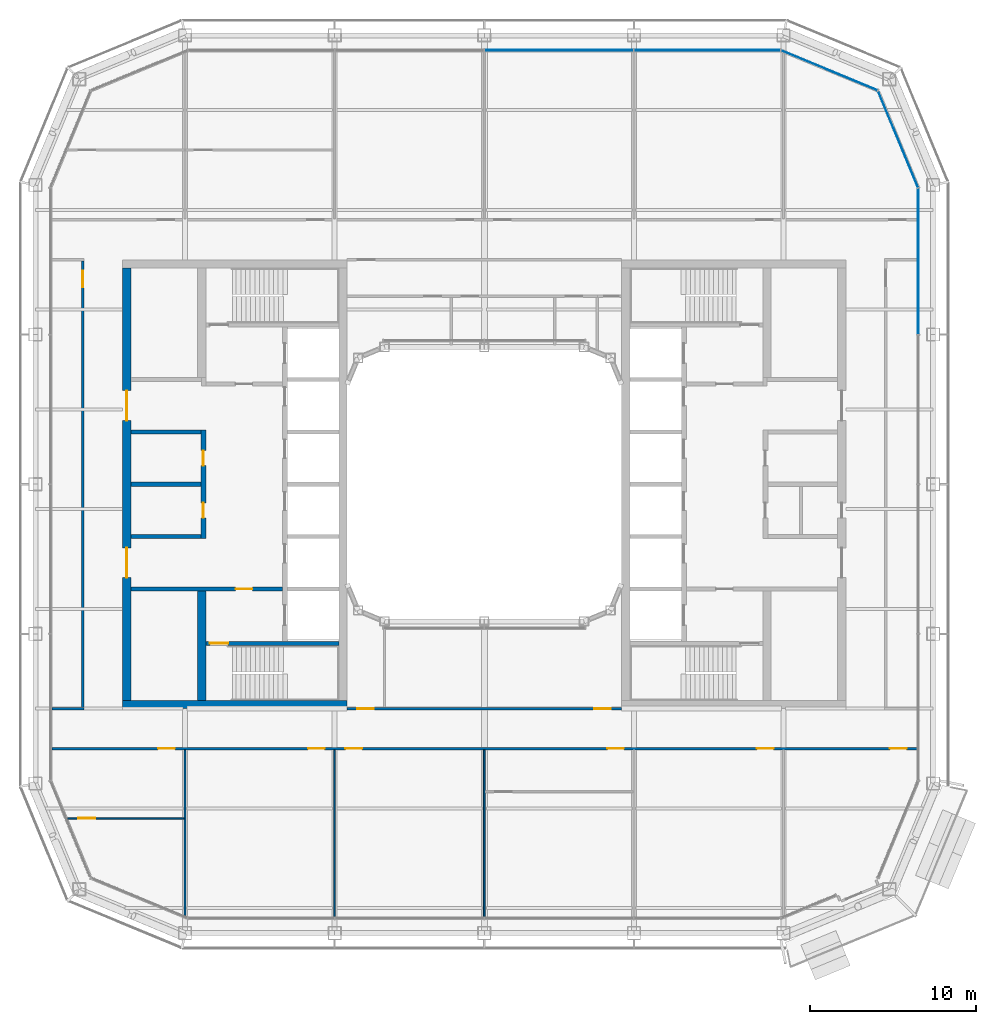
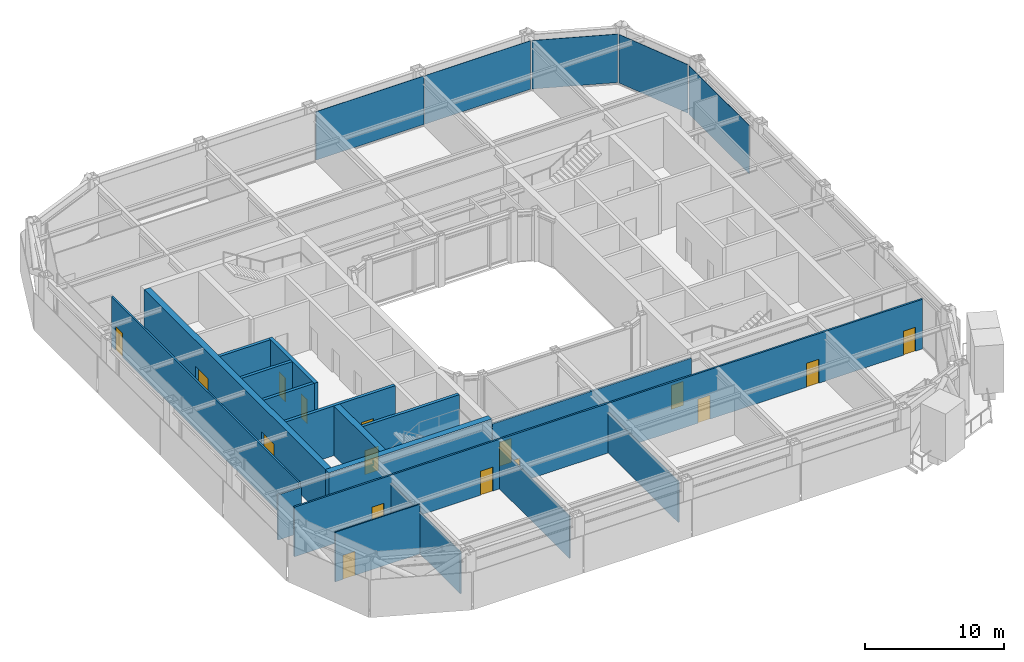
# One storey, part 12 of 22: 17 walls, 16 doors, 5 plates, 16 openings, 4 elements without a shape of their own.
"""IFC4 building model written with IfcOpenShell, lengths in metres."""

from ifc_helpers import new_model, si_unit, direction, frame, frame_2d, origin, origin_2d, place, context, subcontext, project, spatial, rectangle, extrude, material, layer, layer_set, type_object, element, fill, aggregate, save


model = new_model("IFC4")

# Units and contexts
model_context = context("Model", 3, precision=1e-05, world=origin(), true_north=direction((0.0, 1.0)))
body_context = subcontext(model_context, "Body", "Model", "MODEL_VIEW")
ifc_project = project(units=[si_unit("LENGTHUNIT", "METRE"), si_unit("AREAUNIT", "SQUARE_METRE"), si_unit("VOLUMEUNIT", "CUBIC_METRE"), si_unit("PLANEANGLEUNIT", "RADIAN"), si_unit("MASSUNIT", "GRAM", prefix="KILO")], contexts=[model_context])

# Site, building, storey
site_placement = place(None, origin())
site = spatial("IfcSite", under=ifc_project, at=site_placement, CompositionType="ELEMENT")
building_placement = place(site_placement, origin())
building = spatial("IfcBuilding", under=site, at=building_placement, Name="Siwar Civic Tower", CompositionType="ELEMENT")
storey_placement = place(building_placement, frame((0.0, 0.0, 255.699951171875)))
storey = spatial("IfcBuildingStorey", under=building, at=storey_placement, Name="L55", CompositionType="ELEMENT", Elevation=255.699951171875)

# Curtain wall, plate
ifc_material_1 = material(Name="Aluminium and glass", Category="aluminium")
ifc_layer_1 = layer(ifc_material_1, 0.179931640625)
ifc_layer_set_1 = layer_set([ifc_layer_1], Name="Aluminium and glass")
curtain_wall_type_1 = type_object("IfcCurtainWallType", Name="ENV-CW-C", PredefinedType="NOTDEFINED", material=ifc_layer_set_1)
curtain_wall_1_placement = place(storey_placement, origin())
curtain_wall_1 = element("IfcCurtainWall", 1, at=curtain_wall_1_placement, inside=storey, type_object=curtain_wall_type_1, Name="Curtain wall C E", PredefinedType="NOTDEFINED")
ifc_material_2 = material(Name="Glass clear laminated", Category="glass")
ifc_layer_2 = layer(ifc_material_2, 0.031982421875)
ifc_layer_set_2 = layer_set([ifc_layer_2], Name="Glass clear laminated")
plate_type_1 = type_object("IfcPlateType", Name="ENV-PANEL-C", PredefinedType="CURTAIN_PANEL", material=ifc_layer_set_2)
plate_1_placement = place(storey_placement, frame((26.10009765625, 13.373046875, 0.10009765625), z_axis=(0.0, 0.0, 1.0), x_axis=(0.0, 1.0, 0.0)))
plate_1 = element("IfcPlate", 2, at=plate_1_placement, type_object=plate_type_1, Name="Curtain panel C E 4", PredefinedType="CURTAIN_PANEL", context=body_context, shape_type="SweptSolid", body=[
    extrude(rectangle(XDim=8.68603515625, YDim=0.031982421875, at=origin_2d()), origin(), (0.0, 0.0, 1.0), 4.25),
])
aggregate(curtain_wall_1, [plate_1])

# Curtain wall, plates
curtain_wall_2_placement = place(storey_placement, origin())
curtain_wall_2 = element("IfcCurtainWall", 3, at=curtain_wall_2_placement, inside=storey, type_object=curtain_wall_type_1, Name="Curtain wall C N", PredefinedType="NOTDEFINED")
plate_2_placement = place(storey_placement, frame((13.410400390625, 26.10009765625, 0.10009765625), z_axis=(0.0, 0.0, 1.0), x_axis=(-1.0, 0.0, 0.0)))
plate_2 = element("IfcPlate", 4, at=plate_2_placement, type_object=plate_type_1, Name="Curtain panel C N 1", PredefinedType="CURTAIN_PANEL", context=body_context, shape_type="SweptSolid", body=[
    extrude(rectangle(XDim=8.760986328125, YDim=0.031982421875, at=origin_2d()), origin(), (0.0, 0.0, 1.0), 4.25),
])
plate_3_placement = place(storey_placement, frame((4.5, 26.10009765625, 0.10009765625), z_axis=(0.0, 0.0, 1.0), x_axis=(-1.0, 0.0, 0.0)))
plate_3 = element("IfcPlate", 5, at=plate_3_placement, type_object=plate_type_1, Name="Curtain panel C N 2", PredefinedType="CURTAIN_PANEL", context=body_context, shape_type="SweptSolid", body=[
    extrude(rectangle(XDim=8.93994140625, YDim=0.031982421875, at=origin_2d()), origin(), (0.0, 0.0, 1.0), 4.25),
])
aggregate(curtain_wall_2, [plate_2, plate_3])

# Curtain wall, plate
ifc_material_3 = material(Name="Aluminium clad insulated panel", Category="aluminium")
ifc_layer_3 = layer(ifc_material_3, 0.179931640625)
ifc_layer_set_3 = layer_set([ifc_layer_3], Name="Aluminium clad insulated panel")
curtain_wall_type_2 = type_object("IfcCurtainWallType", Name="ENV-CW-CX", PredefinedType="NOTDEFINED", material=ifc_layer_set_3)
curtain_wall_3_placement = place(storey_placement, origin())
curtain_wall_3 = element("IfcCurtainWall", 6, at=curtain_wall_3_placement, inside=storey, type_object=curtain_wall_type_2, Name="Curtain wall C NE1", PredefinedType="NOTDEFINED")
ifc_material_4 = material(Name="Aluminium clad insulated panel", Category="aluminium")
ifc_layer_4 = layer(ifc_material_4, 0.031982421875)
ifc_layer_set_4 = layer_set([ifc_layer_4], Name="Aluminium clad insulated panel")
plate_type_2 = type_object("IfcPlateType", Name="ENV-PANEL-CX", PredefinedType="CURTAIN_PANEL", material=ifc_layer_set_4)
plate_4_placement = place(storey_placement, frame((24.90185546875, 20.71337890625, 0.10009765625), z_axis=(0.0, 0.0, 1.0), x_axis=(-0.382683432365, 0.923879532511, 0.0)))
plate_4 = element("IfcPlate", 7, at=plate_4_placement, type_object=plate_type_2, Name="Curtain panel C NE1 1", PredefinedType="CURTAIN_PANEL", context=body_context, shape_type="SweptSolid", body=[
    extrude(rectangle(XDim=6.20166015625, YDim=0.031982421875, at=origin_2d()), origin(), (0.0, 0.0, 1.0), 4.25),
])
aggregate(curtain_wall_3, [plate_4])

curtain_wall_4_placement = place(storey_placement, origin())
curtain_wall_4 = element("IfcCurtainWall", 8, at=curtain_wall_4_placement, inside=storey, type_object=curtain_wall_type_2, Name="Curtain wall C NE2", PredefinedType="NOTDEFINED")
plate_5_placement = place(storey_placement, frame((20.78271484375, 24.873291015625, 0.10009765625), z_axis=(0.0, 0.0, 1.0), x_axis=(-0.923879532511, 0.382683432365, 0.0)))
plate_5 = element("IfcPlate", 9, at=plate_5_placement, type_object=plate_type_2, Name="Curtain panel C NE2 1", PredefinedType="CURTAIN_PANEL", context=body_context, shape_type="SweptSolid", body=[
    extrude(rectangle(XDim=6.20166015625, YDim=0.031982421875, at=origin_2d()), origin(), (0.0, 0.0, 1.0), 4.25),
])
aggregate(curtain_wall_4, [plate_5])

# Wall, opening, door
ifc_material_5 = material(Name="Concrete C60/75", Category="concrete")
ifc_layer_5 = layer(ifc_material_5, 0.25)
ifc_layer_set_5 = layer_set([ifc_layer_5], Name="Concrete C60/75")
wall_type_1 = type_object("IfcWallType", Name="CORE-WALL-RC250", PredefinedType="SHEAR", material=ifc_layer_set_5)
wall_1_placement = place(storey_placement, frame((-12.14990234375, -6.300048828125, 0.0), z_axis=(0.0, 0.0, 1.0), x_axis=(-1.0, 0.0, 0.0)))
wall_1 = element("IfcWall", 10, at=wall_1_placement, inside=storey, type_object=wall_type_1, Name="Core wall W", PredefinedType="SHEAR", context=body_context, shape_type="SweptSolid", body=[
    extrude(rectangle(XDim=9.10009765625, YDim=0.25, at=frame_2d((4.550048828125, 0.0))), origin(), (0.0, 0.0, 1.0), 4.35009765625),
])
opening_1_placement = place(wall_1_placement, frame((1.800048828125, 0.0, 0.0)))
opening_1 = element("IfcOpeningElement", 11, at=opening_1_placement, cuts=wall_1, Name="Opening L55-CW02", PredefinedType="OPENING", context=body_context, shape_type="SweptSolid", body=[
    extrude(rectangle(XDim=1.0, YDim=2.10009765625, at=frame_2d((0.5, 1.050048828125))), frame((0.0, 0.135009765625, 0.0), z_axis=(0.0, -1.0, 0.0), x_axis=(1.0, 0.0, 0.0)), (0.0, 0.0, 1.0), 0.27001953125),
])
ifc_material_6 = material(Name="Steel door leaf", Category="steel")
door_type_1 = type_object("IfcDoorType", Name="CORE-DOOR-FD30S", OperationType="SINGLE_SWING_LEFT", PredefinedType="DOOR", material=ifc_material_6)
door_1_placement = place(opening_1_placement, origin())
door_1 = element("IfcDoor", 12, at=door_1_placement, inside=storey, type_object=door_type_1, Name="Service lobby door L55-CW02", OperationType="SINGLE_SWING_RIGHT", OverallHeight=2.10009765625, OverallWidth=1.0, PredefinedType="DOOR", context=body_context, shape_type="SweptSolid", body=[
    extrude(rectangle(XDim=1.0, YDim=2.10009765625, at=frame_2d((0.5, 1.050048828125))), frame((0.0, 0.02490234375, 0.0), z_axis=(0.0, -1.0, 0.0), x_axis=(1.0, 0.0, 0.0)), (0.0, 0.0, 1.0), 0.050048828125),
])
fill(opening_1, door_1)

# Walls
for number, where, z_axis, x_axis, name in (
    (13, (-17.050048828125, 0.0, 0.0), (0.0, 0.0, 1.0), (-1.0, 0.0, 0.0), "Core wall W"),
    (14, (-17.050048828125, 3.14990234375, 0.0), (0.0, 0.0, 1.0), (-1.0, 0.0, 0.0), "Core wall W"),
    (15, (-17.050048828125, -3.14990234375, 0.0), (0.0, 0.0, 1.0), (-1.0, 0.0, 0.0), "Core wall W"),
):
    element("IfcWall", number, at=place(storey_placement, frame(where, z_axis=z_axis, x_axis=x_axis)), inside=storey, type_object=wall_type_1, Name=name, PredefinedType="SHEAR", context=body_context, shape_type="SweptSolid", body=[
        extrude(rectangle(XDim=4.199951171875, YDim=0.25, at=frame_2d((2.10009765625, 0.0))), origin(), (0.0, 0.0, 1.0), 4.35009765625),
    ])

# Wall, opening, door
wall_2_placement = place(storey_placement, frame((-8.75, -9.574951171875, 0.0), z_axis=(0.0, 0.0, 1.0), x_axis=(-1.0, 0.0, 0.0)))
wall_2 = element("IfcWall", 16, at=wall_2_placement, inside=storey, type_object=wall_type_1, Name="Core wall W", PredefinedType="SHEAR", context=body_context, shape_type="SweptSolid", body=[
    extrude(rectangle(XDim=8.0, YDim=0.25, at=frame_2d((4.0, 0.0))), origin(), (0.0, 0.0, 1.0), 4.35009765625),
])
opening_2_placement = place(wall_2_placement, frame((6.64990234375, 0.0, 0.0)))
opening_2 = element("IfcOpeningElement", 17, at=opening_2_placement, cuts=wall_2, Name="Opening L55-CW04", PredefinedType="OPENING", context=body_context, shape_type="SweptSolid", body=[
    extrude(rectangle(XDim=1.10009765625, YDim=2.10009765625, at=frame_2d((0.550048828125, 1.050048828125))), frame((0.0, 0.135009765625, 0.0), z_axis=(0.0, -1.0, 0.0), x_axis=(1.0, 0.0, 0.0)), (0.0, 0.0, 1.0), 0.27001953125),
])
ifc_material_7 = material(Name="Steel door leaf", Category="steel")
door_type_2 = type_object("IfcDoorType", Name="CORE-DOOR-FD60S", OperationType="SINGLE_SWING_LEFT", PredefinedType="DOOR", material=ifc_material_7)
door_2_placement = place(opening_2_placement, origin())
door_2 = element("IfcDoor", 18, at=door_2_placement, inside=storey, type_object=door_type_2, Name="Stair door L55-CW04", OperationType="SINGLE_SWING_LEFT", OverallHeight=2.10009765625, OverallWidth=1.10009765625, PredefinedType="DOOR", context=body_context, shape_type="SweptSolid", body=[
    extrude(rectangle(XDim=1.10009765625, YDim=2.10009765625, at=frame_2d((0.550048828125, 1.050048828125))), frame((0.0, 0.02490234375, 0.0), z_axis=(0.0, -1.0, 0.0), x_axis=(1.0, 0.0, 0.0)), (0.0, 0.0, 1.0), 0.050048828125),
])
fill(opening_2, door_2)

# Wall, openings, doors
ifc_material_8 = material(Name="Concrete C60/75", Category="concrete")
ifc_layer_6 = layer(ifc_material_8, 0.300048828125)
ifc_layer_set_6 = layer_set([ifc_layer_6], Name="Concrete C60/75")
wall_type_2 = type_object("IfcWallType", Name="CORE-WALL-RC300", PredefinedType="SHEAR", material=ifc_layer_set_6)
wall_3_placement = place(storey_placement, frame((-16.89990234375, -3.27490234375, 0.0), z_axis=(0.0, 0.0, 1.0), x_axis=(0.0, 1.0, 0.0)))
wall_3 = element("IfcWall", 19, at=wall_3_placement, inside=storey, type_object=wall_type_2, Name="Core wall W", PredefinedType="SHEAR", context=body_context, shape_type="SweptSolid", body=[
    extrude(rectangle(XDim=6.5498046875, YDim=0.300048828125, at=frame_2d((3.27490234375, 0.0))), origin(), (0.0, 0.0, 1.0), 4.35009765625),
])
opening_3_placement = place(wall_3_placement, frame((1.25, 0.0, 0.0)))
opening_3 = element("IfcOpeningElement", 20, at=opening_3_placement, cuts=wall_3, Name="Opening L55-CW13", PredefinedType="OPENING", context=body_context, shape_type="SweptSolid", body=[
    extrude(rectangle(XDim=0.89990234375, YDim=2.10009765625, at=frame_2d((0.449951171875, 1.050048828125))), frame((0.0, 0.16015625, 0.0), z_axis=(0.0, -1.0, 0.0), x_axis=(1.0, 0.0, 0.0)), (0.0, 0.0, 1.0), 0.320068359375),
])
opening_4_placement = place(wall_3_placement, frame((4.39990234375, 0.0, 0.0)))
opening_4 = element("IfcOpeningElement", 21, at=opening_4_placement, cuts=wall_3, Name="Opening L55-CW14", PredefinedType="OPENING", context=body_context, shape_type="SweptSolid", body=[
    extrude(rectangle(XDim=0.89990234375, YDim=2.10009765625, at=frame_2d((0.449951171875, 1.050048828125))), frame((0.0, 0.16015625, 0.0), z_axis=(0.0, -1.0, 0.0), x_axis=(1.0, 0.0, 0.0)), (0.0, 0.0, 1.0), 0.320068359375),
])
ifc_material_9 = material(Name="Steel door leaf", Category="steel")
door_type_3 = type_object("IfcDoorType", Name="CORE-DOOR-ROOM", OperationType="SINGLE_SWING_LEFT", PredefinedType="DOOR", material=ifc_material_9)
door_3_placement = place(opening_3_placement, origin())
door_3 = element("IfcDoor", 22, at=door_3_placement, inside=storey, type_object=door_type_3, Name="Core room door L55-CW13", OperationType="SINGLE_SWING_LEFT", OverallHeight=2.10009765625, OverallWidth=0.89990234375, PredefinedType="DOOR", context=body_context, shape_type="SweptSolid", body=[
    extrude(rectangle(XDim=0.89990234375, YDim=2.10009765625, at=frame_2d((0.449951171875, 1.050048828125))), frame((0.0, 0.02490234375, 0.0), z_axis=(0.0, -1.0, 0.0), x_axis=(1.0, 0.0, 0.0)), (0.0, 0.0, 1.0), 0.050048828125),
])
fill(opening_3, door_3)
door_4_placement = place(opening_4_placement, origin())
door_4 = element("IfcDoor", 23, at=door_4_placement, inside=storey, type_object=door_type_3, Name="Core room door L55-CW14", OperationType="SINGLE_SWING_RIGHT", OverallHeight=2.10009765625, OverallWidth=0.89990234375, PredefinedType="DOOR", context=body_context, shape_type="SweptSolid", body=[
    extrude(rectangle(XDim=0.89990234375, YDim=2.10009765625, at=frame_2d((0.449951171875, 1.050048828125))), frame((0.0, 0.02490234375, 0.0), z_axis=(0.0, -1.0, 0.0), x_axis=(1.0, 0.0, 0.0)), (0.0, 0.0, 1.0), 0.050048828125),
])
fill(opening_4, door_4)

ifc_material_10 = material(Name="Concrete C60/75", Category="concrete")
ifc_layer_7 = layer(ifc_material_10, 0.5)
ifc_layer_set_7 = layer_set([ifc_layer_7], Name="Concrete C60/75")
wall_type_3 = type_object("IfcWallType", Name="CORE-WALL-RC500", PredefinedType="SHEAR", material=ifc_layer_set_7)
wall_4_placement = place(storey_placement, frame((-21.5, -13.0, 0.0), z_axis=(0.0, 0.0, 1.0), x_axis=(0.0, 1.0, 0.0)))
wall_4 = element("IfcWall", 24, at=wall_4_placement, inside=storey, type_object=wall_type_3, Name="Core wall W", PredefinedType="SHEAR", context=body_context, shape_type="SweptSolid", body=[
    extrude(rectangle(XDim=26.0, YDim=0.5, at=frame_2d((13.0, 0.0))), origin(), (0.0, 0.0, 1.0), 4.35009765625),
])
opening_5_placement = place(wall_4_placement, frame((16.824951171875, 0.0, 0.0)))
opening_5 = element("IfcOpeningElement", 25, at=opening_5_placement, cuts=wall_4, Name="Opening L55-CW05", PredefinedType="OPENING", context=body_context, shape_type="SweptSolid", body=[
    extrude(rectangle(XDim=1.800048828125, YDim=2.10009765625, at=frame_2d((0.89990234375, 1.050048828125))), frame((0.0, 0.260009765625, 0.0), z_axis=(0.0, -1.0, 0.0), x_axis=(1.0, 0.0, 0.0)), (0.0, 0.0, 1.0), 0.52001953125),
])
opening_6_placement = place(wall_4_placement, frame((7.375, 0.0, 0.0)))
opening_6 = element("IfcOpeningElement", 26, at=opening_6_placement, cuts=wall_4, Name="Opening L55-CW06", PredefinedType="OPENING", context=body_context, shape_type="SweptSolid", body=[
    extrude(rectangle(XDim=1.800048828125, YDim=2.10009765625, at=frame_2d((0.89990234375, 1.050048828125))), frame((0.0, 0.260009765625, 0.0), z_axis=(0.0, -1.0, 0.0), x_axis=(1.0, 0.0, 0.0)), (0.0, 0.0, 1.0), 0.52001953125),
])
ifc_material_11 = material(Name="Steel door leaf", Category="steel")
door_type_4 = type_object("IfcDoorType", Name="CORE-DOOR-PORT", OperationType="DOUBLE_DOOR_DOUBLE_SWING", PredefinedType="DOOR", material=ifc_material_11)
door_5_placement = place(opening_5_placement, origin())
door_5 = element("IfcDoor", 27, at=door_5_placement, inside=storey, type_object=door_type_4, Name="Core entrance door L55-CW05", OperationType="DOUBLE_DOOR_DOUBLE_SWING", OverallHeight=2.10009765625, OverallWidth=1.800048828125, PredefinedType="DOOR", context=body_context, shape_type="SweptSolid", body=[
    extrude(rectangle(XDim=1.800048828125, YDim=2.10009765625, at=frame_2d((0.89990234375, 1.050048828125))), frame((0.0, 0.02490234375, 0.0), z_axis=(0.0, -1.0, 0.0), x_axis=(1.0, 0.0, 0.0)), (0.0, 0.0, 1.0), 0.050048828125),
])
fill(opening_5, door_5)
door_6_placement = place(opening_6_placement, origin())
door_6 = element("IfcDoor", 28, at=door_6_placement, inside=storey, type_object=door_type_4, Name="Core entrance door L55-CW06", OperationType="DOUBLE_DOOR_DOUBLE_SWING", OverallHeight=2.10009765625, OverallWidth=1.800048828125, PredefinedType="DOOR", context=body_context, shape_type="SweptSolid", body=[
    extrude(rectangle(XDim=1.800048828125, YDim=2.10009765625, at=frame_2d((0.89990234375, 1.050048828125))), frame((0.0, 0.02490234375, 0.0), z_axis=(0.0, -1.0, 0.0), x_axis=(1.0, 0.0, 0.0)), (0.0, 0.0, 1.0), 0.050048828125),
])
fill(opening_6, door_6)

# Walls
wall_5_placement = place(storey_placement, frame((-17.0, -13.0, 0.0), z_axis=(0.0, 0.0, 1.0), x_axis=(0.0, 1.0, 0.0)))
element("IfcWall", 29, at=wall_5_placement, inside=storey, type_object=wall_type_3, Name="Core wall W", PredefinedType="SHEAR", context=body_context, shape_type="SweptSolid", body=[
    extrude(rectangle(XDim=6.574951171875, YDim=0.5, at=frame_2d((3.28759765625, 0.0))), origin(), (0.0, 0.0, 1.0), 4.35009765625),
])
wall_6_placement = place(storey_placement, frame((-8.25, -13.25, 0.0), z_axis=(0.0, 0.0, 1.0), x_axis=(-1.0, 0.0, 0.0)))
element("IfcWall", 30, at=wall_6_placement, inside=storey, type_object=wall_type_3, Name="Core wall W", PredefinedType="SHEAR", context=body_context, shape_type="SweptSolid", body=[
    extrude(rectangle(XDim=13.5, YDim=0.5, at=frame_2d((6.75, 0.0))), origin(), (0.0, 0.0, 1.0), 4.35009765625),
])

# Wall, openings, doors
ifc_material_12 = material(Name="Gypsum board on steel studs", Category="steel")
ifc_layer_8 = layer(ifc_material_12, 0.14990234375)
ifc_layer_set_8 = layer_set([ifc_layer_8], Name="Gypsum board on steel studs")
wall_type_4 = type_object("IfcWallType", Name="CORRIDOR PARTITION 150 EI 30", PredefinedType="PARTITIONING", material=ifc_layer_set_8)
wall_7_placement = place(storey_placement, frame((-26.010009765625, -15.89990234375, 0.0), z_axis=(0.0, 0.0, 1.0), x_axis=(1.0, 0.0, 0.0)))
wall_7 = element("IfcWall", 31, at=wall_7_placement, inside=storey, type_object=wall_type_4, Name="L55/wall/P03", PredefinedType="PARTITIONING", context=body_context, shape_type="SweptSolid", body=[
    extrude(rectangle(XDim=52.02001953125, YDim=0.14990234375, at=frame_2d((26.010009765625, 0.0))), origin(), (0.0, 0.0, 1.0), 4.35009765625),
])
opening_7_placement = place(wall_7_placement, frame((15.409912109375, 0.0, 0.0)))
opening_7 = element("IfcOpeningElement", 32, at=opening_7_placement, cuts=wall_7, Name="Opening D1", PredefinedType="OPENING", context=body_context, shape_type="SweptSolid", body=[
    extrude(rectangle(XDim=1.0, YDim=2.10009765625, at=frame_2d((0.5, 1.050048828125))), frame((0.0, 0.0849609375, 0.0), z_axis=(0.0, -1.0, 0.0), x_axis=(1.0, 0.0, 0.0)), (0.0, 0.0, 1.0), 0.169921875),
])
opening_8_placement = place(wall_7_placement, frame((17.659912109375, 0.0, 0.0)))
opening_8 = element("IfcOpeningElement", 33, at=opening_8_placement, cuts=wall_7, Name="Opening D1", PredefinedType="OPENING", context=body_context, shape_type="SweptSolid", body=[
    extrude(rectangle(XDim=1.0, YDim=2.10009765625, at=frame_2d((0.5, 1.050048828125))), frame((0.0, 0.0849609375, 0.0), z_axis=(0.0, -1.0, 0.0), x_axis=(1.0, 0.0, 0.0)), (0.0, 0.0, 1.0), 0.169921875),
])
opening_9_placement = place(wall_7_placement, frame((33.409912109375, 0.0, 0.0)))
opening_9 = element("IfcOpeningElement", 34, at=opening_9_placement, cuts=wall_7, Name="Opening D1", PredefinedType="OPENING", context=body_context, shape_type="SweptSolid", body=[
    extrude(rectangle(XDim=1.0, YDim=2.10009765625, at=frame_2d((0.5, 1.050048828125))), frame((0.0, 0.0849609375, 0.0), z_axis=(0.0, -1.0, 0.0), x_axis=(1.0, 0.0, 0.0)), (0.0, 0.0, 1.0), 0.169921875),
])
opening_10_placement = place(wall_7_placement, frame((42.409912109375, 0.0, 0.0)))
opening_10 = element("IfcOpeningElement", 35, at=opening_10_placement, cuts=wall_7, Name="Opening D1", PredefinedType="OPENING", context=body_context, shape_type="SweptSolid", body=[
    extrude(rectangle(XDim=1.0, YDim=2.10009765625, at=frame_2d((0.5, 1.050048828125))), frame((0.0, 0.0849609375, 0.0), z_axis=(0.0, -1.0, 0.0), x_axis=(1.0, 0.0, 0.0)), (0.0, 0.0, 1.0), 0.169921875),
])
opening_11_placement = place(wall_7_placement, frame((6.39990234375, 0.0, 0.0)))
opening_11 = element("IfcOpeningElement", 36, at=opening_11_placement, cuts=wall_7, Name="Opening D1", PredefinedType="OPENING", context=body_context, shape_type="SweptSolid", body=[
    extrude(rectangle(XDim=1.0, YDim=2.10009765625, at=frame_2d((0.5, 1.050048828125))), frame((0.0, 0.0849609375, 0.0), z_axis=(0.0, -1.0, 0.0), x_axis=(1.0, 0.0, 0.0)), (0.0, 0.0, 1.0), 0.169921875),
])
opening_12_placement = place(wall_7_placement, frame((50.409912109375, 0.0, 0.0)))
opening_12 = element("IfcOpeningElement", 37, at=opening_12_placement, cuts=wall_7, Name="Opening D1", PredefinedType="OPENING", context=body_context, shape_type="SweptSolid", body=[
    extrude(rectangle(XDim=1.0, YDim=2.10009765625, at=frame_2d((0.5, 1.050048828125))), frame((0.0, 0.0849609375, 0.0), z_axis=(0.0, -1.0, 0.0), x_axis=(1.0, 0.0, 0.0)), (0.0, 0.0, 1.0), 0.169921875),
])
ifc_material_13 = material(Name="Timber, painted", Category="wood")
door_type_5 = type_object("IfcDoorType", Name="DOOR 1000 X 2100 FD30", OperationType="SINGLE_SWING_LEFT", PredefinedType="DOOR", material=ifc_material_13)
door_7_placement = place(opening_7_placement, origin())
door_7 = element("IfcDoor", 38, at=door_7_placement, inside=storey, type_object=door_type_5, Name="L55-D06", OperationType="SINGLE_SWING_RIGHT", OverallHeight=2.10009765625, OverallWidth=1.0, PredefinedType="DOOR", context=body_context, shape_type="SweptSolid", body=[
    extrude(rectangle(XDim=1.0, YDim=2.10009765625, at=frame_2d((0.5, 1.050048828125))), frame((0.0, 0.02490234375, 0.0), z_axis=(0.0, -1.0, 0.0), x_axis=(1.0, 0.0, 0.0)), (0.0, 0.0, 1.0), 0.050048828125),
])
fill(opening_7, door_7)
door_8_placement = place(opening_8_placement, origin())
door_8 = element("IfcDoor", 39, at=door_8_placement, inside=storey, type_object=door_type_5, Name="L55-D07", OperationType="SINGLE_SWING_LEFT", OverallHeight=2.10009765625, OverallWidth=1.0, PredefinedType="DOOR", context=body_context, shape_type="SweptSolid", body=[
    extrude(rectangle(XDim=1.0, YDim=2.10009765625, at=frame_2d((0.5, 1.050048828125))), frame((0.0, 0.02490234375, 0.0), z_axis=(0.0, -1.0, 0.0), x_axis=(1.0, 0.0, 0.0)), (0.0, 0.0, 1.0), 0.050048828125),
])
fill(opening_8, door_8)
door_9_placement = place(opening_9_placement, origin())
door_9 = element("IfcDoor", 40, at=door_9_placement, inside=storey, type_object=door_type_5, Name="L55-D08", OperationType="SINGLE_SWING_RIGHT", OverallHeight=2.10009765625, OverallWidth=1.0, PredefinedType="DOOR", context=body_context, shape_type="SweptSolid", body=[
    extrude(rectangle(XDim=1.0, YDim=2.10009765625, at=frame_2d((0.5, 1.050048828125))), frame((0.0, 0.02490234375, 0.0), z_axis=(0.0, -1.0, 0.0), x_axis=(1.0, 0.0, 0.0)), (0.0, 0.0, 1.0), 0.050048828125),
])
fill(opening_9, door_9)
door_10_placement = place(opening_10_placement, origin())
door_10 = element("IfcDoor", 41, at=door_10_placement, inside=storey, type_object=door_type_5, Name="L55-D10", OperationType="SINGLE_SWING_RIGHT", OverallHeight=2.10009765625, OverallWidth=1.0, PredefinedType="DOOR", context=body_context, shape_type="SweptSolid", body=[
    extrude(rectangle(XDim=1.0, YDim=2.10009765625, at=frame_2d((0.5, 1.050048828125))), frame((0.0, 0.02490234375, 0.0), z_axis=(0.0, -1.0, 0.0), x_axis=(1.0, 0.0, 0.0)), (0.0, 0.0, 1.0), 0.050048828125),
])
fill(opening_10, door_10)
door_11_placement = place(opening_11_placement, origin())
door_11 = element("IfcDoor", 42, at=door_11_placement, inside=storey, type_object=door_type_5, Name="L55-D14", OperationType="SINGLE_SWING_RIGHT", OverallHeight=2.10009765625, OverallWidth=1.0, PredefinedType="DOOR", context=body_context, shape_type="SweptSolid", body=[
    extrude(rectangle(XDim=1.0, YDim=2.10009765625, at=frame_2d((0.5, 1.050048828125))), frame((0.0, 0.02490234375, 0.0), z_axis=(0.0, -1.0, 0.0), x_axis=(1.0, 0.0, 0.0)), (0.0, 0.0, 1.0), 0.050048828125),
])
fill(opening_11, door_11)
door_12_placement = place(opening_12_placement, origin())
door_12 = element("IfcDoor", 43, at=door_12_placement, inside=storey, type_object=door_type_5, Name="L55-D16", OperationType="SINGLE_SWING_RIGHT", OverallHeight=2.10009765625, OverallWidth=1.0, PredefinedType="DOOR", context=body_context, shape_type="SweptSolid", body=[
    extrude(rectangle(XDim=1.0, YDim=2.10009765625, at=frame_2d((0.5, 1.050048828125))), frame((0.0, 0.02490234375, 0.0), z_axis=(0.0, -1.0, 0.0), x_axis=(1.0, 0.0, 0.0)), (0.0, 0.0, 1.0), 0.050048828125),
])
fill(opening_12, door_12)

# Wall
wall_8_placement = place(storey_placement, frame((-26.010009765625, -13.5, 0.0), z_axis=(0.0, 0.0, 1.0), x_axis=(1.0, 0.0, 0.0)))
element("IfcWall", 44, at=wall_8_placement, inside=storey, type_object=wall_type_4, Name="L55/wall/P04", PredefinedType="PARTITIONING", context=body_context, shape_type="SweptSolid", body=[
    extrude(rectangle(XDim=1.93505859375, YDim=0.14990234375, at=frame_2d((0.967529296875, 0.0))), origin(), (0.0, 0.0, 1.0), 3.949951171875),
])

# Wall, openings, doors
wall_9_placement = place(storey_placement, frame((-8.25, -13.5, 0.0), z_axis=(0.0, 0.0, 1.0), x_axis=(1.0, 0.0, 0.0)))
wall_9 = element("IfcWall", 45, at=wall_9_placement, inside=storey, type_object=wall_type_4, Name="L55/wall/P05", PredefinedType="PARTITIONING", context=body_context, shape_type="SweptSolid", body=[
    extrude(rectangle(XDim=16.5, YDim=0.14990234375, at=frame_2d((8.25, 0.0))), origin(), (0.0, 0.0, 1.0), 3.949951171875),
])
opening_13_placement = place(wall_9_placement, frame((0.60009765625, 0.0, 0.0)))
opening_13 = element("IfcOpeningElement", 46, at=opening_13_placement, cuts=wall_9, Name="Opening D3", PredefinedType="OPENING", context=body_context, shape_type="SweptSolid", body=[
    extrude(rectangle(XDim=1.0, YDim=2.10009765625, at=frame_2d((0.5, 1.050048828125))), frame((0.0, 0.0849609375, 0.0), z_axis=(0.0, -1.0, 0.0), x_axis=(1.0, 0.0, 0.0)), (0.0, 0.0, 1.0), 0.169921875),
])
opening_14_placement = place(wall_9_placement, frame((14.85009765625, 0.0, 0.0)))
opening_14 = element("IfcOpeningElement", 47, at=opening_14_placement, cuts=wall_9, Name="Opening D1", PredefinedType="OPENING", context=body_context, shape_type="SweptSolid", body=[
    extrude(rectangle(XDim=1.0, YDim=2.10009765625, at=frame_2d((0.5, 1.050048828125))), frame((0.0, 0.0849609375, 0.0), z_axis=(0.0, -1.0, 0.0), x_axis=(1.0, 0.0, 0.0)), (0.0, 0.0, 1.0), 0.169921875),
])
door_13_placement = place(opening_14_placement, origin())
door_13 = element("IfcDoor", 48, at=door_13_placement, inside=storey, type_object=door_type_5, Name="L55-D25", OperationType="SINGLE_SWING_LEFT", OverallHeight=2.10009765625, OverallWidth=1.0, PredefinedType="DOOR", context=body_context, shape_type="SweptSolid", body=[
    extrude(rectangle(XDim=1.0, YDim=2.10009765625, at=frame_2d((0.5, 1.050048828125))), frame((0.0, 0.02490234375, 0.0), z_axis=(0.0, -1.0, 0.0), x_axis=(1.0, 0.0, 0.0)), (0.0, 0.0, 1.0), 0.050048828125),
])
fill(opening_14, door_13)
ifc_material_14 = material(Name="Timber, painted", Category="wood")
door_type_6 = type_object("IfcDoorType", Name="DOOR 1000 X 2100 WC", OperationType="SINGLE_SWING_LEFT", PredefinedType="DOOR", material=ifc_material_14)
door_14_placement = place(opening_13_placement, origin())
door_14 = element("IfcDoor", 49, at=door_14_placement, inside=storey, type_object=door_type_6, Name="L55-D24", OperationType="SINGLE_SWING_RIGHT", OverallHeight=2.10009765625, OverallWidth=1.0, PredefinedType="DOOR", context=body_context, shape_type="SweptSolid", body=[
    extrude(rectangle(XDim=1.0, YDim=2.10009765625, at=frame_2d((0.5, 1.050048828125))), frame((0.0, 0.02490234375, 0.0), z_axis=(0.0, -1.0, 0.0), x_axis=(1.0, 0.0, 0.0)), (0.0, 0.0, 1.0), 0.050048828125),
])
fill(opening_13, door_14)

# Wall, opening, door
wall_10_placement = place(storey_placement, frame((-24.14990234375, -13.425048828125, 0.0), z_axis=(0.0, 0.0, 1.0), x_axis=(0.0, 1.0, 0.0)))
wall_10 = element("IfcWall", 50, at=wall_10_placement, inside=storey, type_object=wall_type_4, Name="L55/wall/P14", PredefinedType="PARTITIONING", context=body_context, shape_type="SweptSolid", body=[
    extrude(rectangle(XDim=26.85009765625, YDim=0.14990234375, at=frame_2d((13.425048828125, 0.0))), origin(), (0.0, 0.0, 1.0), 4.35009765625),
])
opening_15_placement = place(wall_10_placement, frame((25.27490234375, 0.0, 0.0)))
opening_15 = element("IfcOpeningElement", 51, at=opening_15_placement, cuts=wall_10, Name="Opening D1", PredefinedType="OPENING", context=body_context, shape_type="SweptSolid", body=[
    extrude(rectangle(XDim=1.0, YDim=2.10009765625, at=frame_2d((0.5, 1.050048828125))), frame((0.0, 0.0849609375, 0.0), z_axis=(0.0, -1.0, 0.0), x_axis=(1.0, 0.0, 0.0)), (0.0, 0.0, 1.0), 0.169921875),
])
door_15_placement = place(opening_15_placement, origin())
door_15 = element("IfcDoor", 52, at=door_15_placement, inside=storey, type_object=door_type_5, Name="L55-D17", OperationType="SINGLE_SWING_LEFT", OverallHeight=2.10009765625, OverallWidth=1.0, PredefinedType="DOOR", context=body_context, shape_type="SweptSolid", body=[
    extrude(rectangle(XDim=1.0, YDim=2.10009765625, at=frame_2d((0.5, 1.050048828125))), frame((0.0, 0.02490234375, 0.0), z_axis=(0.0, -1.0, 0.0), x_axis=(1.0, 0.0, 0.0)), (0.0, 0.0, 1.0), 0.050048828125),
])
fill(opening_15, door_15)

ifc_material_15 = material(Name="Gypsum board on steel studs", Category="steel")
ifc_layer_9 = layer(ifc_material_15, 0.10009765625)
ifc_layer_set_9 = layer_set([ifc_layer_9], Name="Gypsum board on steel studs")
wall_type_5 = type_object("IfcWallType", Name="PARTITION 100 GYPSUM", PredefinedType="PARTITIONING", material=ifc_layer_set_9)
wall_11_placement = place(storey_placement, frame((-25.05810546875, -20.10009765625, 0.0), z_axis=(0.0, 0.0, 1.0), x_axis=(1.0, 0.0, 0.0)))
wall_11 = element("IfcWall", 53, at=wall_11_placement, inside=storey, type_object=wall_type_5, Name="L55/wall/P01", PredefinedType="PARTITIONING", context=body_context, shape_type="SweptSolid", body=[
    extrude(rectangle(XDim=7.008056640625, YDim=0.10009765625, at=frame_2d((3.50390625, 0.0))), origin(), (0.0, 0.0, 1.0), 4.35009765625),
])
opening_16_placement = place(wall_11_placement, frame((0.64990234375, 0.0, 0.0)))
opening_16 = element("IfcOpeningElement", 54, at=opening_16_placement, cuts=wall_11, Name="Opening D2", PredefinedType="OPENING", context=body_context, shape_type="SweptSolid", body=[
    extrude(rectangle(XDim=1.0, YDim=2.10009765625, at=frame_2d((0.5, 1.050048828125))), frame((0.0, 0.06005859375, 0.0), z_axis=(0.0, -1.0, 0.0), x_axis=(1.0, 0.0, 0.0)), (0.0, 0.0, 1.0), 0.1201171875),
])
ifc_material_16 = material(Name="Timber, painted", Category="wood")
door_type_7 = type_object("IfcDoorType", Name="DOOR 1000 X 2100", OperationType="SINGLE_SWING_LEFT", PredefinedType="DOOR", material=ifc_material_16)
door_16_placement = place(opening_16_placement, origin())
door_16 = element("IfcDoor", 55, at=door_16_placement, inside=storey, type_object=door_type_7, Name="L55-D15", OperationType="SINGLE_SWING_LEFT", OverallHeight=2.10009765625, OverallWidth=1.0, PredefinedType="DOOR", context=body_context, shape_type="SweptSolid", body=[
    extrude(rectangle(XDim=1.0, YDim=2.10009765625, at=frame_2d((0.5, 1.050048828125))), frame((0.0, 0.02490234375, 0.0), z_axis=(0.0, -1.0, 0.0), x_axis=(1.0, 0.0, 0.0)), (0.0, 0.0, 1.0), 0.050048828125),
])
fill(opening_16, door_16)

# Walls
wall_12_placement = place(storey_placement, frame((-18.0, -25.927978515625, 0.0), z_axis=(0.0, 0.0, 1.0), x_axis=(0.0, 1.0, 0.0)))
element("IfcWall", 56, at=wall_12_placement, inside=storey, type_object=wall_type_5, Name="L55/wall/P15", PredefinedType="PARTITIONING", context=body_context, shape_type="SweptSolid", body=[
    extrude(rectangle(XDim=9.952880859375, YDim=0.10009765625, at=frame_2d((4.9765625, 0.0))), origin(), (0.0, 0.0, 1.0), 3.650146484375),
])
wall_13_placement = place(storey_placement, frame((-9.0, -26.010009765625, 0.0), z_axis=(0.0, 0.0, 1.0), x_axis=(0.0, 1.0, 0.0)))
element("IfcWall", 57, at=wall_13_placement, inside=storey, type_object=wall_type_5, Name="L55/wall/P18", PredefinedType="PARTITIONING", context=body_context, shape_type="SweptSolid", body=[
    extrude(rectangle(XDim=10.034912109375, YDim=0.10009765625, at=frame_2d((5.017578125, 0.0))), origin(), (0.0, 0.0, 1.0), 3.650146484375),
])
wall_14_placement = place(storey_placement, frame((0.0, -26.010009765625, 0.0), z_axis=(0.0, 0.0, 1.0), x_axis=(0.0, 1.0, 0.0)))
element("IfcWall", 58, at=wall_14_placement, inside=storey, type_object=wall_type_5, Name="L55/wall/P22", PredefinedType="PARTITIONING", context=body_context, shape_type="SweptSolid", body=[
    extrude(rectangle(XDim=10.034912109375, YDim=0.10009765625, at=frame_2d((5.017578125, 0.0))), origin(), (0.0, 0.0, 1.0), 3.550048828125),
])

save(model, "model.ifc")
